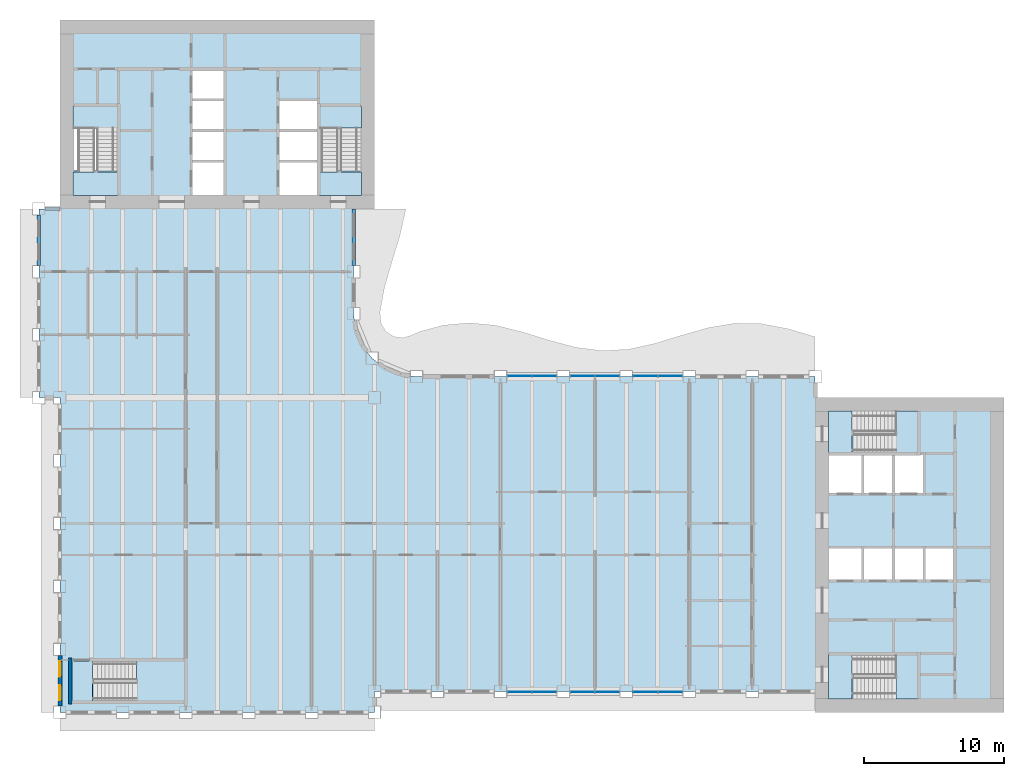
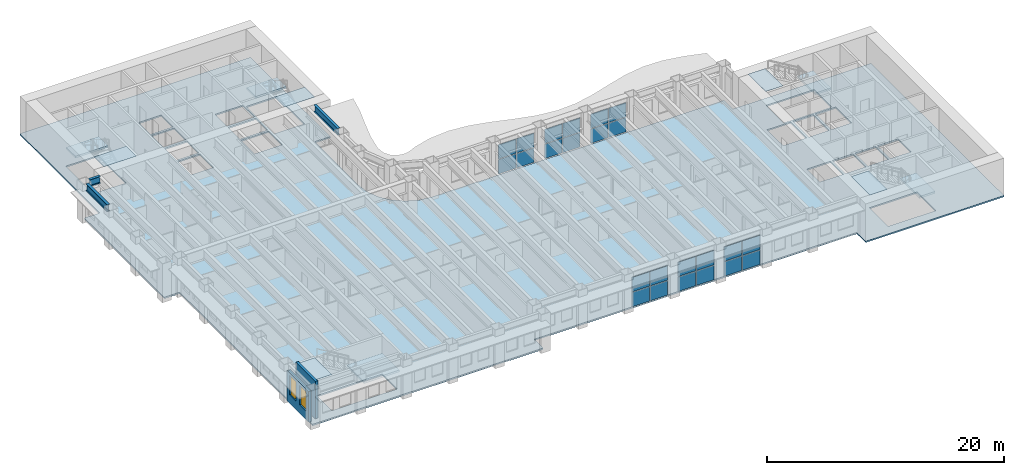
# One storey, part 4 of 17: 24 plates, 11 slabs, 3 beams, 2 walls, 2 windows, 2 openings, 11 elements without a shape of their own.
"""IFC4 building model written with IfcOpenShell, lengths in metres."""

from ifc_helpers import new_model, si_unit, direction, frame, frame_2d, origin, origin_2d, place, context, subcontext, project, spatial, polyline, rectangle, i_section, outline, extrude, material, layer, layer_set, material_profile, profile_set, type_object, element, fill, aggregate, save


model = new_model("IFC4")

# Units and contexts
model_context = context("Model", 3, precision=1e-05, world=origin(), true_north=direction((0.0, 1.0)))
body_context = subcontext(model_context, "Body", "Model", "MODEL_VIEW")
ifc_project = project(units=[si_unit("LENGTHUNIT", "METRE"), si_unit("AREAUNIT", "SQUARE_METRE"), si_unit("VOLUMEUNIT", "CUBIC_METRE"), si_unit("PLANEANGLEUNIT", "RADIAN"), si_unit("MASSUNIT", "GRAM", prefix="KILO")], contexts=[model_context])

# Site, building, storey
site_placement = place(None, origin())
site = spatial("IfcSite", under=ifc_project, at=site_placement, CompositionType="ELEMENT")
building_placement = place(site_placement, origin())
building = spatial("IfcBuilding", under=site, at=building_placement, Name="Sennacour Bend Tower", CompositionType="ELEMENT")
storey_placement = place(building_placement, frame((0.0, 0.0, 155.0)))
storey = spatial("IfcBuildingStorey", under=building, at=storey_placement, Name="L35", CompositionType="ELEMENT", Elevation=155.0)

# Beams
ifc_material_1 = material(Name="Steel ASTM A992 Grade 50", Category="steel")
ifc_material_profile = material_profile(ifc_material_1, i_section(OverallWidth=0.25390625, OverallDepth=0.700927734375, WebThickness=0.015380859375, FlangeThickness=0.02783203125, FilletRadius=0.015380859375, at=origin_2d()), Name="Steel ASTM A992 Grade 50", Category="steel")
ifc_profile_set = profile_set([ifc_material_profile], Name="Steel ASTM A992 Grade 50")
beam_type = type_object("IfcBeamType", Name="Spandrel beam W690X192", PredefinedType="SPANDREL", material=ifc_profile_set)
beam_1_placement = place(storey_placement, frame((-1.5, 31.949951171875, 3.49951171875), z_axis=(0.0, 1.0, 0.0), x_axis=(-1.0, 0.0, 0.0)))
element("IfcBeam", 1, at=beam_1_placement, inside=storey, type_object=beam_type, Name="Spandrel beam SP4 L36-008", PredefinedType="SPANDREL", context=body_context, shape_type="SweptSolid", body=[
    extrude(i_section(OverallWidth=0.25390625, OverallDepth=0.700927734375, WebThickness=0.015380859375, FlangeThickness=0.02783203125, FilletRadius=0.015380859375, at=origin_2d()), origin(), (0.0, 0.0, 1.0), 3.60009765625),
])
beam_2_placement = place(storey_placement, frame((-1.050048828125, 36.0, 3.49951171875), z_axis=(1.0, 0.0, 0.0), x_axis=(0.0, 1.0, 0.0)))
element("IfcBeam", 2, at=beam_2_placement, inside=storey, type_object=beam_type, Name="Spandrel beam SP4 L36-009", PredefinedType="SPANDREL", context=body_context, shape_type="SweptSolid", body=[
    extrude(i_section(OverallWidth=0.25390625, OverallDepth=0.700927734375, WebThickness=0.015380859375, FlangeThickness=0.02783203125, FilletRadius=0.015380859375, at=origin_2d()), origin(), (0.0, 0.0, 1.0), 1.050048828125),
])
beam_3_placement = place(storey_placement, frame((21.0, 36.0, 3.49951171875), z_axis=(0.0, -1.0, 0.0), x_axis=(1.0, 0.0, 0.0)))
element("IfcBeam", 3, at=beam_3_placement, inside=storey, type_object=beam_type, Name="Spandrel beam SP4 L36-010", PredefinedType="SPANDREL", context=body_context, shape_type="SweptSolid", body=[
    extrude(i_section(OverallWidth=0.25390625, OverallDepth=0.700927734375, WebThickness=0.015380859375, FlangeThickness=0.02783203125, FilletRadius=0.015380859375, at=origin_2d()), origin(), (0.0, 0.0, 1.0), 4.050048828125),
])

# Slab
ifc_material_2 = material(Name="Concrete C30/37", Category="concrete")
ifc_layer_1 = layer(ifc_material_2, 0.14990234375, Name="Concrete C30/37", Category="concrete")
ifc_layer_set_1 = layer_set([ifc_layer_1], Name="Concrete C30/37")
slab_type_1 = type_object("IfcSlabType", Name="Floor slab 150", PredefinedType="FLOOR", material=ifc_layer_set_1)
slab_1_placement = place(storey_placement, frame((0.0, 0.0, -0.14990234375)))
element("IfcSlab", 4, at=slab_1_placement, inside=storey, type_object=slab_type_1, Name="Floor slab L35-01", PredefinedType="FLOOR", context=body_context, shape_type="SweptSolid", body=[
    extrude(outline(polyline([(0.0, 22.5), (-1.5, 22.5), (-1.5, 36.0), (0.0, 36.0), (0.0, 49.5), (22.5, 49.5), (22.5, 36.0), (21.0, 36.0), (21.0, 28.5), (21.1533203125, 27.335205078125), (21.602783203125, 26.25), (22.318115234375, 25.318115234375), (23.25, 24.602783203125), (24.335205078125, 24.1533203125), (25.5, 24.0), (54.0, 24.0), (54.0, 22.5), (67.5, 22.5), (67.5, 0.0), (54.0, 0.0), (54.0, 1.5), (22.5, 1.5), (22.5, 0.0), (0.0, 0.0), (0.0, 22.5)]), holes=[polyline([(8.800048828125, 0.949951171875), (8.800048828125, 3.5), (2.429931640625, 3.5), (2.429931640625, 0.949951171875), (8.800048828125, 0.949951171875)]), polyline([(11.699951171875, 37.0), (11.699951171875, 39.300048828125), (9.5, 39.300048828125), (9.5, 37.0), (11.699951171875, 37.0)]), polyline([(18.39990234375, 37.0), (18.39990234375, 39.300048828125), (15.699951171875, 39.300048828125), (15.699951171875, 37.0), (18.39990234375, 37.0)]), polyline([(11.699951171875, 39.5), (11.699951171875, 41.5), (9.5, 41.5), (9.5, 39.5), (11.699951171875, 39.5)]), polyline([(18.39990234375, 39.5), (18.39990234375, 41.5), (15.699951171875, 41.5), (15.699951171875, 39.5), (18.39990234375, 39.5)]), polyline([(4.125, 38.72998046875), (4.125, 43.39990234375), (0.949951171875, 43.39990234375), (0.949951171875, 38.72998046875), (4.125, 38.72998046875)]), polyline([(21.550048828125, 38.72998046875), (21.550048828125, 43.39990234375), (18.574951171875, 43.39990234375), (18.574951171875, 38.72998046875), (21.550048828125, 38.72998046875)]), polyline([(9.5, 41.699951171875), (11.699951171875, 41.699951171875), (11.699951171875, 43.699951171875), (9.5, 43.699951171875), (9.5, 41.699951171875)]), polyline([(15.699951171875, 41.699951171875), (18.39990234375, 41.699951171875), (18.39990234375, 43.699951171875), (15.699951171875, 43.699951171875), (15.699951171875, 41.699951171875)]), polyline([(11.699951171875, 43.89990234375), (11.699951171875, 45.89990234375), (9.5, 45.89990234375), (9.5, 43.89990234375), (11.699951171875, 43.89990234375)]), polyline([(61.39990234375, 0.949951171875), (61.39990234375, 4.125), (56.72998046875, 4.125), (56.72998046875, 0.949951171875), (61.39990234375, 0.949951171875)]), polyline([(57.300048828125, 9.5), (57.300048828125, 11.699951171875), (55.0, 11.699951171875), (55.0, 9.5), (57.300048828125, 9.5)]), polyline([(57.5, 9.5), (59.5, 9.5), (59.5, 11.699951171875), (57.5, 11.699951171875), (57.5, 9.5)]), polyline([(59.699951171875, 9.5), (61.699951171875, 9.5), (61.699951171875, 11.699951171875), (59.699951171875, 11.699951171875), (59.699951171875, 9.5)]), polyline([(63.89990234375, 9.5), (63.89990234375, 11.699951171875), (61.89990234375, 11.699951171875), (61.89990234375, 9.5), (63.89990234375, 9.5)]), polyline([(57.300048828125, 15.699951171875), (57.300048828125, 18.39990234375), (55.0, 18.39990234375), (55.0, 15.699951171875), (57.300048828125, 15.699951171875)]), polyline([(59.5, 15.699951171875), (59.5, 18.39990234375), (57.5, 18.39990234375), (57.5, 15.699951171875), (59.5, 15.699951171875)]), polyline([(59.699951171875, 15.699951171875), (61.699951171875, 15.699951171875), (61.699951171875, 18.39990234375), (59.699951171875, 18.39990234375), (59.699951171875, 15.699951171875)]), polyline([(56.72998046875, 18.574951171875), (61.39990234375, 18.574951171875), (61.39990234375, 21.550048828125), (56.72998046875, 21.550048828125), (56.72998046875, 18.574951171875)])]), origin(), (0.0, 0.0, 1.0), 0.14990234375),
])

# Curtain wall, plates
ifc_material_3 = material(Name="Bronze anodised aluminium curtain wall with clear glass", Category="aluminium")
curtain_wall_type = type_object("IfcCurtainWallType", Name="CURTAIN WALL BRIDGE", PredefinedType="NOTDEFINED", material=ifc_material_3)
curtain_wall_1_placement = place(storey_placement, origin())
curtain_wall_1 = element("IfcCurtainWall", 5, at=curtain_wall_1_placement, inside=storey, type_object=curtain_wall_type, Name="Sky bridge glass wall L35", PredefinedType="NOTDEFINED")
ifc_material_4 = material(Name="Clear low-emissivity glass", Category="glass")
ifc_layer_2 = layer(ifc_material_4, 0.031982421875, Name="Clear low-emissivity glass", Category="glass")
ifc_layer_set_2 = layer_set([ifc_layer_2], Name="Clear low-emissivity glass")
plate_type = type_object("IfcPlateType", Name="PNL-GLASS-IGU32", PredefinedType="CURTAIN_PANEL", material=ifc_layer_set_2)
plate_1_placement = place(storey_placement, frame((32.864990234375, 1.449951171875, 0.06005859375), z_axis=(0.0, 0.0, 1.0), x_axis=(1.0, 0.0, 0.0)))
plate_1 = element("IfcPlate", 6, at=plate_1_placement, type_object=plate_type, Name="GW5 curtain wall panel 1.1", PredefinedType="CURTAIN_PANEL", context=body_context, shape_type="SweptSolid", body=[
    extrude(rectangle(XDim=1.7099609375, YDim=0.031982421875, at=origin_2d()), origin(), (0.0, 0.0, 1.0), 1.485107421875),
])
plate_2_placement = place(storey_placement, frame((32.864990234375, 1.449951171875, 1.60498046875), z_axis=(0.0, 0.0, 1.0), x_axis=(1.0, 0.0, 0.0)))
plate_2 = element("IfcPlate", 7, at=plate_2_placement, type_object=plate_type, Name="GW5 curtain wall panel 1.2", PredefinedType="CURTAIN_PANEL", context=body_context, shape_type="SweptSolid", body=[
    extrude(rectangle(XDim=1.7099609375, YDim=0.031982421875, at=origin_2d()), origin(), (0.0, 0.0, 1.0), 1.48388671875),
])
plate_3_placement = place(storey_placement, frame((34.635009765625, 1.449951171875, 0.06005859375), z_axis=(0.0, 0.0, 1.0), x_axis=(1.0, 0.0, 0.0)))
plate_3 = element("IfcPlate", 8, at=plate_3_placement, type_object=plate_type, Name="GW5 curtain wall panel 2.1", PredefinedType="CURTAIN_PANEL", context=body_context, shape_type="SweptSolid", body=[
    extrude(rectangle(XDim=1.7099609375, YDim=0.031982421875, at=origin_2d()), origin(), (0.0, 0.0, 1.0), 1.485107421875),
])
plate_4_placement = place(storey_placement, frame((34.635009765625, 1.449951171875, 1.60498046875), z_axis=(0.0, 0.0, 1.0), x_axis=(1.0, 0.0, 0.0)))
plate_4 = element("IfcPlate", 9, at=plate_4_placement, type_object=plate_type, Name="GW5 curtain wall panel 2.2", PredefinedType="CURTAIN_PANEL", context=body_context, shape_type="SweptSolid", body=[
    extrude(rectangle(XDim=1.7099609375, YDim=0.031982421875, at=origin_2d()), origin(), (0.0, 0.0, 1.0), 1.48388671875),
])
aggregate(curtain_wall_1, [plate_1, plate_2, plate_3, plate_4])

curtain_wall_2_placement = place(storey_placement, origin())
curtain_wall_2 = element("IfcCurtainWall", 10, at=curtain_wall_2_placement, inside=storey, type_object=curtain_wall_type, Name="Sky bridge glass wall L35", PredefinedType="NOTDEFINED")
plate_5_placement = place(storey_placement, frame((37.364990234375, 1.449951171875, 0.06005859375), z_axis=(0.0, 0.0, 1.0), x_axis=(1.0, 0.0, 0.0)))
plate_5 = element("IfcPlate", 11, at=plate_5_placement, type_object=plate_type, Name="GW5 curtain wall panel 1.1", PredefinedType="CURTAIN_PANEL", context=body_context, shape_type="SweptSolid", body=[
    extrude(rectangle(XDim=1.7099609375, YDim=0.031982421875, at=origin_2d()), origin(), (0.0, 0.0, 1.0), 1.485107421875),
])
plate_6_placement = place(storey_placement, frame((37.364990234375, 1.449951171875, 1.60498046875), z_axis=(0.0, 0.0, 1.0), x_axis=(1.0, 0.0, 0.0)))
plate_6 = element("IfcPlate", 12, at=plate_6_placement, type_object=plate_type, Name="GW5 curtain wall panel 1.2", PredefinedType="CURTAIN_PANEL", context=body_context, shape_type="SweptSolid", body=[
    extrude(rectangle(XDim=1.7099609375, YDim=0.031982421875, at=origin_2d()), origin(), (0.0, 0.0, 1.0), 1.48388671875),
])
plate_7_placement = place(storey_placement, frame((39.135009765625, 1.449951171875, 0.06005859375), z_axis=(0.0, 0.0, 1.0), x_axis=(1.0, 0.0, 0.0)))
plate_7 = element("IfcPlate", 13, at=plate_7_placement, type_object=plate_type, Name="GW5 curtain wall panel 2.1", PredefinedType="CURTAIN_PANEL", context=body_context, shape_type="SweptSolid", body=[
    extrude(rectangle(XDim=1.7099609375, YDim=0.031982421875, at=origin_2d()), origin(), (0.0, 0.0, 1.0), 1.485107421875),
])
plate_8_placement = place(storey_placement, frame((39.135009765625, 1.449951171875, 1.60498046875), z_axis=(0.0, 0.0, 1.0), x_axis=(1.0, 0.0, 0.0)))
plate_8 = element("IfcPlate", 14, at=plate_8_placement, type_object=plate_type, Name="GW5 curtain wall panel 2.2", PredefinedType="CURTAIN_PANEL", context=body_context, shape_type="SweptSolid", body=[
    extrude(rectangle(XDim=1.7099609375, YDim=0.031982421875, at=origin_2d()), origin(), (0.0, 0.0, 1.0), 1.48388671875),
])
aggregate(curtain_wall_2, [plate_5, plate_6, plate_7, plate_8])

curtain_wall_3_placement = place(storey_placement, origin())
curtain_wall_3 = element("IfcCurtainWall", 15, at=curtain_wall_3_placement, inside=storey, type_object=curtain_wall_type, Name="Sky bridge glass wall L35", PredefinedType="NOTDEFINED")
plate_9_placement = place(storey_placement, frame((41.864990234375, 1.449951171875, 0.06005859375), z_axis=(0.0, 0.0, 1.0), x_axis=(1.0, 0.0, 0.0)))
plate_9 = element("IfcPlate", 16, at=plate_9_placement, type_object=plate_type, Name="GW5 curtain wall panel 1.1", PredefinedType="CURTAIN_PANEL", context=body_context, shape_type="SweptSolid", body=[
    extrude(rectangle(XDim=1.7099609375, YDim=0.031982421875, at=origin_2d()), origin(), (0.0, 0.0, 1.0), 1.485107421875),
])
plate_10_placement = place(storey_placement, frame((41.864990234375, 1.449951171875, 1.60498046875), z_axis=(0.0, 0.0, 1.0), x_axis=(1.0, 0.0, 0.0)))
plate_10 = element("IfcPlate", 17, at=plate_10_placement, type_object=plate_type, Name="GW5 curtain wall panel 1.2", PredefinedType="CURTAIN_PANEL", context=body_context, shape_type="SweptSolid", body=[
    extrude(rectangle(XDim=1.7099609375, YDim=0.031982421875, at=origin_2d()), origin(), (0.0, 0.0, 1.0), 1.48388671875),
])
plate_11_placement = place(storey_placement, frame((43.635009765625, 1.449951171875, 0.06005859375), z_axis=(0.0, 0.0, 1.0), x_axis=(1.0, 0.0, 0.0)))
plate_11 = element("IfcPlate", 18, at=plate_11_placement, type_object=plate_type, Name="GW5 curtain wall panel 2.1", PredefinedType="CURTAIN_PANEL", context=body_context, shape_type="SweptSolid", body=[
    extrude(rectangle(XDim=1.7099609375, YDim=0.031982421875, at=origin_2d()), origin(), (0.0, 0.0, 1.0), 1.485107421875),
])
plate_12_placement = place(storey_placement, frame((43.635009765625, 1.449951171875, 1.60498046875), z_axis=(0.0, 0.0, 1.0), x_axis=(1.0, 0.0, 0.0)))
plate_12 = element("IfcPlate", 19, at=plate_12_placement, type_object=plate_type, Name="GW5 curtain wall panel 2.2", PredefinedType="CURTAIN_PANEL", context=body_context, shape_type="SweptSolid", body=[
    extrude(rectangle(XDim=1.7099609375, YDim=0.031982421875, at=origin_2d()), origin(), (0.0, 0.0, 1.0), 1.48388671875),
])
aggregate(curtain_wall_3, [plate_9, plate_10, plate_11, plate_12])

curtain_wall_4_placement = place(storey_placement, origin())
curtain_wall_4 = element("IfcCurtainWall", 20, at=curtain_wall_4_placement, inside=storey, type_object=curtain_wall_type, Name="Sky bridge glass wall L35", PredefinedType="NOTDEFINED")
plate_13_placement = place(storey_placement, frame((43.635009765625, 24.050048828125, 0.06005859375), z_axis=(0.0, 0.0, 1.0), x_axis=(-1.0, 0.0, 0.0)))
plate_13 = element("IfcPlate", 21, at=plate_13_placement, type_object=plate_type, Name="GW5 curtain wall panel 1.1", PredefinedType="CURTAIN_PANEL", context=body_context, shape_type="SweptSolid", body=[
    extrude(rectangle(XDim=1.7099609375, YDim=0.031982421875, at=origin_2d()), origin(), (0.0, 0.0, 1.0), 1.485107421875),
])
plate_14_placement = place(storey_placement, frame((43.635009765625, 24.050048828125, 1.60498046875), z_axis=(0.0, 0.0, 1.0), x_axis=(-1.0, 0.0, 0.0)))
plate_14 = element("IfcPlate", 22, at=plate_14_placement, type_object=plate_type, Name="GW5 curtain wall panel 1.2", PredefinedType="CURTAIN_PANEL", context=body_context, shape_type="SweptSolid", body=[
    extrude(rectangle(XDim=1.7099609375, YDim=0.031982421875, at=origin_2d()), origin(), (0.0, 0.0, 1.0), 1.48388671875),
])
plate_15_placement = place(storey_placement, frame((41.864990234375, 24.050048828125, 0.06005859375), z_axis=(0.0, 0.0, 1.0), x_axis=(-1.0, 0.0, 0.0)))
plate_15 = element("IfcPlate", 23, at=plate_15_placement, type_object=plate_type, Name="GW5 curtain wall panel 2.1", PredefinedType="CURTAIN_PANEL", context=body_context, shape_type="SweptSolid", body=[
    extrude(rectangle(XDim=1.7099609375, YDim=0.031982421875, at=origin_2d()), origin(), (0.0, 0.0, 1.0), 1.485107421875),
])
plate_16_placement = place(storey_placement, frame((41.864990234375, 24.050048828125, 1.60498046875), z_axis=(0.0, 0.0, 1.0), x_axis=(-1.0, 0.0, 0.0)))
plate_16 = element("IfcPlate", 24, at=plate_16_placement, type_object=plate_type, Name="GW5 curtain wall panel 2.2", PredefinedType="CURTAIN_PANEL", context=body_context, shape_type="SweptSolid", body=[
    extrude(rectangle(XDim=1.7099609375, YDim=0.031982421875, at=origin_2d()), origin(), (0.0, 0.0, 1.0), 1.48388671875),
])
aggregate(curtain_wall_4, [plate_13, plate_14, plate_15, plate_16])

curtain_wall_5_placement = place(storey_placement, origin())
curtain_wall_5 = element("IfcCurtainWall", 25, at=curtain_wall_5_placement, inside=storey, type_object=curtain_wall_type, Name="Sky bridge glass wall L35", PredefinedType="NOTDEFINED")
plate_17_placement = place(storey_placement, frame((39.135009765625, 24.050048828125, 0.06005859375), z_axis=(0.0, 0.0, 1.0), x_axis=(-1.0, 0.0, 0.0)))
plate_17 = element("IfcPlate", 26, at=plate_17_placement, type_object=plate_type, Name="GW5 curtain wall panel 1.1", PredefinedType="CURTAIN_PANEL", context=body_context, shape_type="SweptSolid", body=[
    extrude(rectangle(XDim=1.7099609375, YDim=0.031982421875, at=origin_2d()), origin(), (0.0, 0.0, 1.0), 1.485107421875),
])
plate_18_placement = place(storey_placement, frame((39.135009765625, 24.050048828125, 1.60498046875), z_axis=(0.0, 0.0, 1.0), x_axis=(-1.0, 0.0, 0.0)))
plate_18 = element("IfcPlate", 27, at=plate_18_placement, type_object=plate_type, Name="GW5 curtain wall panel 1.2", PredefinedType="CURTAIN_PANEL", context=body_context, shape_type="SweptSolid", body=[
    extrude(rectangle(XDim=1.7099609375, YDim=0.031982421875, at=origin_2d()), origin(), (0.0, 0.0, 1.0), 1.48388671875),
])
plate_19_placement = place(storey_placement, frame((37.364990234375, 24.050048828125, 0.06005859375), z_axis=(0.0, 0.0, 1.0), x_axis=(-1.0, 0.0, 0.0)))
plate_19 = element("IfcPlate", 28, at=plate_19_placement, type_object=plate_type, Name="GW5 curtain wall panel 2.1", PredefinedType="CURTAIN_PANEL", context=body_context, shape_type="SweptSolid", body=[
    extrude(rectangle(XDim=1.7099609375, YDim=0.031982421875, at=origin_2d()), origin(), (0.0, 0.0, 1.0), 1.485107421875),
])
plate_20_placement = place(storey_placement, frame((37.364990234375, 24.050048828125, 1.60498046875), z_axis=(0.0, 0.0, 1.0), x_axis=(-1.0, 0.0, 0.0)))
plate_20 = element("IfcPlate", 29, at=plate_20_placement, type_object=plate_type, Name="GW5 curtain wall panel 2.2", PredefinedType="CURTAIN_PANEL", context=body_context, shape_type="SweptSolid", body=[
    extrude(rectangle(XDim=1.7099609375, YDim=0.031982421875, at=origin_2d()), origin(), (0.0, 0.0, 1.0), 1.48388671875),
])
aggregate(curtain_wall_5, [plate_17, plate_18, plate_19, plate_20])

curtain_wall_6_placement = place(storey_placement, origin())
curtain_wall_6 = element("IfcCurtainWall", 30, at=curtain_wall_6_placement, inside=storey, type_object=curtain_wall_type, Name="Sky bridge glass wall L35", PredefinedType="NOTDEFINED")
plate_21_placement = place(storey_placement, frame((34.635009765625, 24.050048828125, 0.06005859375), z_axis=(0.0, 0.0, 1.0), x_axis=(-1.0, 0.0, 0.0)))
plate_21 = element("IfcPlate", 31, at=plate_21_placement, type_object=plate_type, Name="GW5 curtain wall panel 1.1", PredefinedType="CURTAIN_PANEL", context=body_context, shape_type="SweptSolid", body=[
    extrude(rectangle(XDim=1.7099609375, YDim=0.031982421875, at=origin_2d()), origin(), (0.0, 0.0, 1.0), 1.485107421875),
])
plate_22_placement = place(storey_placement, frame((34.635009765625, 24.050048828125, 1.60498046875), z_axis=(0.0, 0.0, 1.0), x_axis=(-1.0, 0.0, 0.0)))
plate_22 = element("IfcPlate", 32, at=plate_22_placement, type_object=plate_type, Name="GW5 curtain wall panel 1.2", PredefinedType="CURTAIN_PANEL", context=body_context, shape_type="SweptSolid", body=[
    extrude(rectangle(XDim=1.7099609375, YDim=0.031982421875, at=origin_2d()), origin(), (0.0, 0.0, 1.0), 1.48388671875),
])
plate_23_placement = place(storey_placement, frame((32.864990234375, 24.050048828125, 0.06005859375), z_axis=(0.0, 0.0, 1.0), x_axis=(-1.0, 0.0, 0.0)))
plate_23 = element("IfcPlate", 33, at=plate_23_placement, type_object=plate_type, Name="GW5 curtain wall panel 2.1", PredefinedType="CURTAIN_PANEL", context=body_context, shape_type="SweptSolid", body=[
    extrude(rectangle(XDim=1.7099609375, YDim=0.031982421875, at=origin_2d()), origin(), (0.0, 0.0, 1.0), 1.485107421875),
])
plate_24_placement = place(storey_placement, frame((32.864990234375, 24.050048828125, 1.60498046875), z_axis=(0.0, 0.0, 1.0), x_axis=(-1.0, 0.0, 0.0)))
plate_24 = element("IfcPlate", 34, at=plate_24_placement, type_object=plate_type, Name="GW5 curtain wall panel 2.2", PredefinedType="CURTAIN_PANEL", context=body_context, shape_type="SweptSolid", body=[
    extrude(rectangle(XDim=1.7099609375, YDim=0.031982421875, at=origin_2d()), origin(), (0.0, 0.0, 1.0), 1.48388671875),
])
aggregate(curtain_wall_6, [plate_21, plate_22, plate_23, plate_24])

# Slabs
ifc_material_5 = material(Name="Concrete C40/50", Category="concrete")
ifc_layer_3 = layer(ifc_material_5, 0.034912109375, Name="Concrete C40/50", Category="concrete")
ifc_layer_set_3 = layer_set([ifc_layer_3], Name="Concrete C40/50")
slab_type_2 = type_object("IfcSlabType", Name="Stair arrival nib 35", PredefinedType="FLOOR", material=ifc_layer_set_3)
slab_2_placement = place(storey_placement, frame((0.0, 0.0, 3.815185546875)))
element("IfcSlab", 35, at=slab_2_placement, inside=storey, type_object=slab_type_2, Name="L35 SA1 stair arrival nib", PredefinedType="FLOOR", context=body_context, shape_type="SweptSolid", body=[
    extrude(outline(polyline([(56.64208984375, 4.125), (54.949951171875, 4.125), (54.949951171875, 0.949951171875), (56.64208984375, 0.949951171875), (56.64208984375, 4.125)])), origin(), (0.0, 0.0, 1.0), 0.034912109375),
])
slab_3_placement = place(storey_placement, frame((0.0, 0.0, 3.815185546875)))
element("IfcSlab", 36, at=slab_3_placement, inside=storey, type_object=slab_type_2, Name="L35 SA2 stair arrival nib", PredefinedType="FLOOR", context=body_context, shape_type="SweptSolid", body=[
    extrude(outline(polyline([(56.64208984375, 21.550048828125), (54.949951171875, 21.550048828125), (54.949951171875, 18.574951171875), (56.64208984375, 18.574951171875), (56.64208984375, 21.550048828125)])), origin(), (0.0, 0.0, 1.0), 0.034912109375),
])
slab_4_placement = place(storey_placement, frame((0.0, 0.0, 3.815185546875)))
element("IfcSlab", 37, at=slab_4_placement, inside=storey, type_object=slab_type_2, Name="L35 SB1 stair arrival nib", PredefinedType="FLOOR", context=body_context, shape_type="SweptSolid", body=[
    extrude(outline(polyline([(0.949951171875, 38.64208984375), (0.949951171875, 36.949951171875), (4.125, 36.949951171875), (4.125, 38.64208984375), (0.949951171875, 38.64208984375)])), origin(), (0.0, 0.0, 1.0), 0.034912109375),
])
slab_5_placement = place(storey_placement, frame((0.0, 0.0, 3.815185546875)))
element("IfcSlab", 38, at=slab_5_placement, inside=storey, type_object=slab_type_2, Name="L35 SB2 stair arrival nib", PredefinedType="FLOOR", context=body_context, shape_type="SweptSolid", body=[
    extrude(outline(polyline([(18.574951171875, 38.64208984375), (18.574951171875, 36.949951171875), (21.550048828125, 36.949951171875), (21.550048828125, 38.64208984375), (18.574951171875, 38.64208984375)])), origin(), (0.0, 0.0, 1.0), 0.034912109375),
])
slab_6_placement = place(storey_placement, frame((0.0, 0.0, 3.815185546875)))
element("IfcSlab", 39, at=slab_6_placement, inside=storey, type_object=slab_type_2, Name="L35 SK1 stair arrival nib", PredefinedType="FLOOR", context=body_context, shape_type="SweptSolid", body=[
    extrude(outline(polyline([(2.342041015625, 3.675048828125), (0.800048828125, 3.675048828125), (0.800048828125, 0.800048828125), (2.342041015625, 0.800048828125), (2.342041015625, 3.675048828125)])), origin(), (0.0, 0.0, 1.0), 0.034912109375),
])

# Stair, slab
stair_type = type_object("IfcStairType", Name="ST-DOGLEG", PredefinedType="HALF_TURN_STAIR", material=ifc_material_5)
stair_1_placement = place(storey_placement, origin())
stair_1 = element("IfcStair", 40, at=stair_1_placement, inside=storey, type_object=stair_type, Name="L35 Exit stair A1", PredefinedType="HALF_TURN_STAIR")
ifc_layer_4 = layer(ifc_material_5, 0.199951171875, Name="Concrete C40/50", Category="concrete")
ifc_layer_set_4 = layer_set([ifc_layer_4], Name="Concrete C40/50")
slab_type_3 = type_object("IfcSlabType", Name="Stair landing 200", PredefinedType="LANDING", material=ifc_layer_set_4)
slab_7_placement = place(storey_placement, frame((0.0, 0.0, 1.800048828125)))
slab_7 = element("IfcSlab", 41, at=slab_7_placement, type_object=slab_type_3, Name="SA1 landing 1", PredefinedType="LANDING", context=body_context, shape_type="SweptSolid", body=[
    extrude(outline(polyline([(59.780029296875, 0.949951171875), (61.324951171875, 0.949951171875), (61.324951171875, 4.125), (59.780029296875, 4.125), (59.780029296875, 0.949951171875)])), origin(), (0.0, 0.0, 1.0), 0.199951171875),
])
aggregate(stair_1, [slab_7])

stair_2_placement = place(storey_placement, origin())
stair_2 = element("IfcStair", 42, at=stair_2_placement, inside=storey, type_object=stair_type, Name="L35 Exit stair A2", PredefinedType="HALF_TURN_STAIR")
slab_8_placement = place(storey_placement, frame((0.0, 0.0, 1.800048828125)))
slab_8 = element("IfcSlab", 43, at=slab_8_placement, type_object=slab_type_3, Name="SA2 landing 1", PredefinedType="LANDING", context=body_context, shape_type="SweptSolid", body=[
    extrude(outline(polyline([(59.780029296875, 18.574951171875), (61.324951171875, 18.574951171875), (61.324951171875, 21.550048828125), (59.780029296875, 21.550048828125), (59.780029296875, 18.574951171875)])), origin(), (0.0, 0.0, 1.0), 0.199951171875),
])
aggregate(stair_2, [slab_8])

stair_3_placement = place(storey_placement, origin())
stair_3 = element("IfcStair", 44, at=stair_3_placement, inside=storey, type_object=stair_type, Name="L35 Exit stair B1", PredefinedType="HALF_TURN_STAIR")
slab_9_placement = place(storey_placement, frame((0.0, 0.0, 1.800048828125)))
slab_9 = element("IfcSlab", 45, at=slab_9_placement, type_object=slab_type_3, Name="SB1 landing 1", PredefinedType="LANDING", context=body_context, shape_type="SweptSolid", body=[
    extrude(outline(polyline([(0.949951171875, 41.780029296875), (4.125, 41.780029296875), (4.125, 43.324951171875), (0.949951171875, 43.324951171875), (0.949951171875, 41.780029296875)])), origin(), (0.0, 0.0, 1.0), 0.199951171875),
])
aggregate(stair_3, [slab_9])

stair_4_placement = place(storey_placement, origin())
stair_4 = element("IfcStair", 46, at=stair_4_placement, inside=storey, type_object=stair_type, Name="L35 Exit stair B2", PredefinedType="HALF_TURN_STAIR")
slab_10_placement = place(storey_placement, frame((0.0, 0.0, 1.800048828125)))
slab_10 = element("IfcSlab", 47, at=slab_10_placement, type_object=slab_type_3, Name="SB2 landing 1", PredefinedType="LANDING", context=body_context, shape_type="SweptSolid", body=[
    extrude(outline(polyline([(18.574951171875, 41.780029296875), (21.550048828125, 41.780029296875), (21.550048828125, 43.324951171875), (18.574951171875, 43.324951171875), (18.574951171875, 41.780029296875)])), origin(), (0.0, 0.0, 1.0), 0.199951171875),
])
aggregate(stair_4, [slab_10])

stair_5_placement = place(storey_placement, origin())
stair_5 = element("IfcStair", 48, at=stair_5_placement, inside=storey, type_object=stair_type, Name="L35 Exit stair K1", PredefinedType="HALF_TURN_STAIR")
slab_11_placement = place(storey_placement, frame((0.0, 0.0, 1.800048828125)))
slab_11 = element("IfcSlab", 49, at=slab_11_placement, type_object=slab_type_3, Name="SK1 landing 1", PredefinedType="LANDING", context=body_context, shape_type="SweptSolid", body=[
    extrude(outline(polyline([(5.47998046875, 0.800048828125), (8.925048828125, 0.800048828125), (8.925048828125, 3.675048828125), (5.47998046875, 3.675048828125), (5.47998046875, 0.800048828125)])), origin(), (0.0, 0.0, 1.0), 0.199951171875),
])
aggregate(stair_5, [slab_11])

# Wall, openings, windows
ifc_material_6 = material(Name="Warm limestone cladding", Category="masonry")
ifc_layer_5 = layer(ifc_material_6, 0.050048828125, Name="Warm limestone cladding", Category="masonry")
ifc_material_7 = material(Name="Precast concrete C40/50", Category="concrete")
ifc_layer_6 = layer(ifc_material_7, 0.25, Name="Precast concrete C40/50", Category="concrete")
ifc_layer_set_5 = layer_set([ifc_layer_5, ifc_layer_6], Name="Precast concrete C40/50 with limestone cladding")
wall_type_1 = type_object("IfcWallType", Name="STONE-CLAD PRECAST SPANDREL 300", PredefinedType="STANDARD", material=ifc_layer_set_5)
wall_1_placement = place(storey_placement, frame((0.0, 4.050048828125, 0.0), z_axis=(0.0, 0.0, 1.0), x_axis=(0.0, -1.0, 0.0)))
wall_1 = element("IfcWall", 50, at=wall_1_placement, inside=storey, type_object=wall_type_1, Name="Stone spandrel and pier wall L35 23.04", PredefinedType="STANDARD", context=body_context, shape_type="SweptSolid", body=[
    extrude(rectangle(XDim=3.60009765625, YDim=0.300048828125, at=frame_2d((1.800048828125, 0.0))), origin(), (0.0, 0.0, 1.0), 3.14892578125),
])
opening_1_placement = place(wall_1_placement, frame((0.39990234375, 0.0, 0.89990234375)))
opening_1 = element("IfcOpeningElement", 51, at=opening_1_placement, cuts=wall_1, Name="Opening W19", PredefinedType="OPENING", context=body_context, shape_type="SweptSolid", body=[
    extrude(rectangle(XDim=1.10009765625, YDim=2.0, at=frame_2d((0.550048828125, 1.0))), frame((0.0, 0.16015625, 0.0), z_axis=(0.0, -1.0, 0.0), x_axis=(1.0, 0.0, 0.0)), (0.0, 0.0, 1.0), 0.320068359375),
])
opening_2_placement = place(wall_1_placement, frame((2.10009765625, 0.0, 0.89990234375)))
opening_2 = element("IfcOpeningElement", 52, at=opening_2_placement, cuts=wall_1, Name="Opening W19", PredefinedType="OPENING", context=body_context, shape_type="SweptSolid", body=[
    extrude(rectangle(XDim=1.10009765625, YDim=2.0, at=frame_2d((0.550048828125, 1.0))), frame((0.0, 0.16015625, 0.0), z_axis=(0.0, -1.0, 0.0), x_axis=(1.0, 0.0, 0.0)), (0.0, 0.0, 1.0), 0.320068359375),
])
window_type = type_object("IfcWindowType", Name="WIN-RIBBON-1100x2000", PartitioningType="SINGLE_PANEL", PredefinedType="WINDOW", material=ifc_material_4)
window_1_placement = place(opening_1_placement, origin())
window_1 = element("IfcWindow", 53, at=window_1_placement, inside=storey, type_object=window_type, Name="Ribbon window L35 23.04.0", OverallHeight=2.0, OverallWidth=1.10009765625, PartitioningType="SINGLE_PANEL", PredefinedType="WINDOW", context=body_context, shape_type="SweptSolid", body=[
    extrude(rectangle(XDim=1.10009765625, YDim=2.0, at=frame_2d((0.550048828125, 1.0))), frame((0.0, 0.030029296875, 0.0), z_axis=(0.0, -1.0, 0.0), x_axis=(1.0, 0.0, 0.0)), (0.0, 0.0, 1.0), 0.06005859375),
])
fill(opening_1, window_1)
window_2_placement = place(opening_2_placement, origin())
window_2 = element("IfcWindow", 54, at=window_2_placement, inside=storey, type_object=window_type, Name="Ribbon window L35 23.04.1", OverallHeight=2.0, OverallWidth=1.10009765625, PartitioningType="SINGLE_PANEL", PredefinedType="WINDOW", context=body_context, shape_type="SweptSolid", body=[
    extrude(rectangle(XDim=1.10009765625, YDim=2.0, at=frame_2d((0.550048828125, 1.0))), frame((0.0, 0.030029296875, 0.0), z_axis=(0.0, -1.0, 0.0), x_axis=(1.0, 0.0, 0.0)), (0.0, 0.0, 1.0), 0.06005859375),
])
fill(opening_2, window_2)

# Wall
ifc_material_8 = material(Name="Concrete C60/75", Category="concrete")
ifc_layer_7 = layer(ifc_material_8, 0.25, Name="Concrete C60/75", Category="concrete")
ifc_layer_set_6 = layer_set([ifc_layer_7], Name="Concrete C60/75")
wall_type_2 = type_object("IfcWallType", Name="Stair wall 250", PredefinedType="SHEAR", material=ifc_layer_set_6)
wall_2_placement = place(storey_placement, frame((0.72509765625, 0.60009765625, 0.0), z_axis=(0.0, 0.0, 1.0), x_axis=(0.0, 1.0, 0.0)))
element("IfcWall", 55, at=wall_2_placement, inside=storey, type_object=wall_type_2, Name="P-L35-W003", PredefinedType="SHEAR", context=body_context, shape_type="SweptSolid", body=[
    extrude(rectangle(XDim=3.27490234375, YDim=0.25, at=frame_2d((1.637451171875, 0.0))), origin(), (0.0, 0.0, 1.0), 3.85009765625),
])

save(model, "model.ifc")
